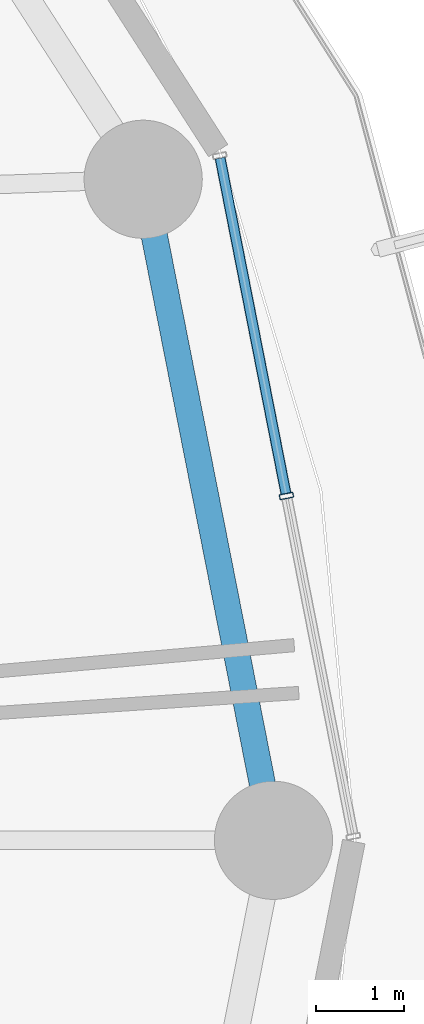
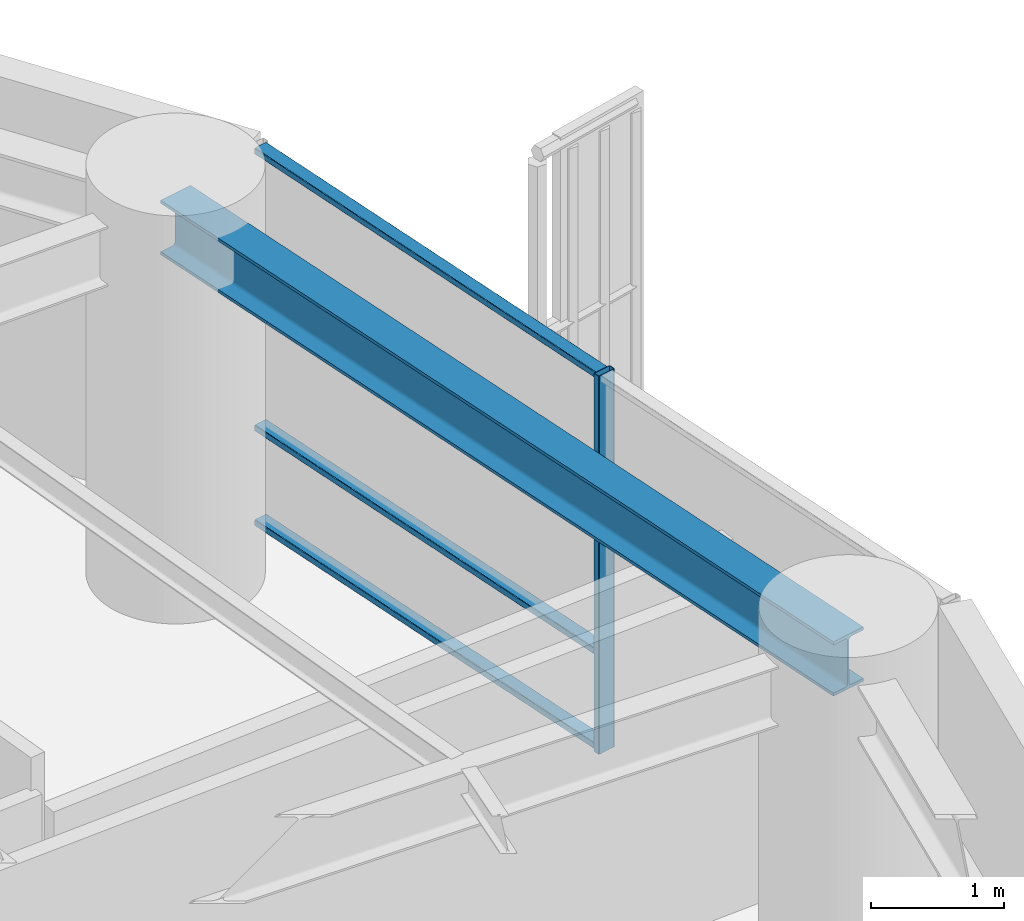
# One storey, part 17 of 38: 4 members, 1 beam, 1 element without a shape of its own.
"""IFC4 building model written with IfcOpenShell, lengths in metres."""

from ifc_helpers import new_model, si_unit, direction, frame, origin, origin_2d, place, context, subcontext, project, spatial, hollow_rectangle, i_section, extrude, material, layer, layer_set, material_profile, profile_set, type_object, element, aggregate, save


model = new_model("IFC4")

# Units and contexts
model_context = context("Model", 3, precision=1e-05, world=origin(), true_north=direction((0.0, 1.0)))
body_context = subcontext(model_context, "Body", "Model", "MODEL_VIEW")
ifc_project = project(units=[si_unit("LENGTHUNIT", "METRE"), si_unit("AREAUNIT", "SQUARE_METRE"), si_unit("VOLUMEUNIT", "CUBIC_METRE"), si_unit("PLANEANGLEUNIT", "RADIAN"), si_unit("MASSUNIT", "GRAM", prefix="KILO")], contexts=[model_context])

# Site, building, storey
site_placement = place(None, origin())
site = spatial("IfcSite", under=ifc_project, at=site_placement, CompositionType="ELEMENT")
building_placement = place(site_placement, origin())
building = spatial("IfcBuilding", under=site, at=building_placement, Name="Kelanora Arch Commons", CompositionType="ELEMENT")
storey_placement = place(building_placement, frame((0.0, 0.0, 106.35009765625)))
storey = spatial("IfcBuildingStorey", under=building, at=storey_placement, Name="L27", CompositionType="ELEMENT", Elevation=106.35009765625)

# Beam
ifc_material_1 = material(Name="Steel S355", Category="steel")
ifc_material_profile_1 = material_profile(ifc_material_1, i_section(OverallWidth=0.300048828125, OverallDepth=0.5, WebThickness=0.014404296875, FlangeThickness=0.028076171875, FilletRadius=0.027099609375, at=origin_2d()), Name="HEB500")
ifc_profile_set_1 = profile_set([ifc_material_profile_1], Name="Steel S355")
beam_type = type_object("IfcBeamType", Name="BM-SPN-Z2", PredefinedType="SPANDREL", material=ifc_profile_set_1)
beam_placement = place(storey_placement, frame((98.679931640625, 58.0, 3.239990234375), z_axis=(-0.19335825777, 0.981128220037, 0.0), x_axis=(-0.981128220037, -0.19335825777, 0.0)))
element("IfcBeam", 1, at=beam_placement, inside=storey, type_object=beam_type, Name="Perimeter Spandrel Beam BS-00 L27", PredefinedType="SPANDREL", context=body_context, shape_type="SweptSolid", body=[
    extrude(i_section(OverallWidth=0.300048828125, OverallDepth=0.5, WebThickness=0.014404296875, FlangeThickness=0.028076171875, FilletRadius=0.027099609375, at=origin_2d()), origin(), (0.0, 0.0, 1.0), 7.697021484375),
])

# Curtain wall, members
ifc_material_2 = material(Name="Terracotta ceramic-fritted low-E glass and aluminium", Category="masonry")
ifc_layer = layer(ifc_material_2, 0.159912109375)
ifc_layer_set = layer_set([ifc_layer], Name="Terracotta ceramic-fritted low-E glass and aluminium")
curtain_wall_type = type_object("IfcCurtainWallType", Name="CW-SYS-01", PredefinedType="NOTDEFINED", material=ifc_layer_set)
curtain_wall_placement = place(storey_placement, origin())
curtain_wall = element("IfcCurtainWall", 2, at=curtain_wall_placement, inside=storey, type_object=curtain_wall_type, Name="Unitised Curtain Wall L27-B00", PredefinedType="NOTDEFINED")
ifc_material_3 = material(Name="Powder-coated aluminium terracotta", Category="masonry")
ifc_material_profile_2 = material_profile(ifc_material_3, hollow_rectangle(XDim=0.159912109375, YDim=0.06005859375, WallThickness=0.0048828125, InnerFilletRadius=0.0048828125, OuterFilletRadius=0.010009765625, at=origin_2d()), Name="CWM160x60")
ifc_profile_set_2 = profile_set([ifc_material_profile_2], Name="Powder-coated aluminium terracotta")
member_type_1 = type_object("IfcMemberType", Name="CWM-STD", PredefinedType="MULLION", material=ifc_profile_set_2)
member_1_placement = place(storey_placement, frame((98.828125, 61.933349609375, 0.0), z_axis=(0.0, 0.0, 1.0), x_axis=(-0.981280311646, -0.192584916272, 0.0)))
member_1 = element("IfcMember", 3, at=member_1_placement, type_object=member_type_1, Name="CW-01 mullion 2", PredefinedType="MULLION", context=body_context, shape_type="SweptSolid", body=[
    extrude(hollow_rectangle(XDim=0.159912109375, YDim=0.06005859375, WallThickness=0.0048828125, InnerFilletRadius=0.0048828125, OuterFilletRadius=0.010009765625, at=origin_2d()), origin(), (0.0, 0.0, 1.0), 3.474853515625),
])
ifc_material_profile_3 = material_profile(ifc_material_3, hollow_rectangle(XDim=0.1201171875, YDim=0.06005859375, WallThickness=0.0048828125, InnerFilletRadius=0.0048828125, OuterFilletRadius=0.010009765625, at=origin_2d()), Name="CWT120x60")
ifc_profile_set_3 = profile_set([ifc_material_profile_3], Name="Powder-coated aluminium terracotta")
member_type_2 = type_object("IfcMemberType", Name="CWT-STD", PredefinedType="USERDEFINED", material=ifc_profile_set_3)
member_2_placement = place(storey_placement, frame((98.822265625, 61.962646484375, 0.02978515625), z_axis=(-0.192578614785, 0.981281548348, 0.0), x_axis=(-0.981281548348, -0.192578614785, 0.0)))
member_2 = element("IfcMember", 4, at=member_2_placement, type_object=member_type_2, Name="CW-01 transom 2.1", ObjectType="TRANSOM", PredefinedType="USERDEFINED", context=body_context, shape_type="SweptSolid", body=[
    extrude(hollow_rectangle(XDim=0.1201171875, YDim=0.06005859375, WallThickness=0.0048828125, InnerFilletRadius=0.0048828125, OuterFilletRadius=0.010009765625, at=origin_2d()), origin(), (0.0, 0.0, 1.0), 3.9033203125),
])
member_3_placement = place(storey_placement, frame((98.822265625, 61.962646484375, 0.89990234375), z_axis=(-0.192578614785, 0.981281548348, 0.0), x_axis=(-0.981281548348, -0.192578614785, 0.0)))
member_3 = element("IfcMember", 5, at=member_3_placement, type_object=member_type_2, Name="CW-01 transom 2.2", ObjectType="TRANSOM", PredefinedType="USERDEFINED", context=body_context, shape_type="SweptSolid", body=[
    extrude(hollow_rectangle(XDim=0.1201171875, YDim=0.06005859375, WallThickness=0.0048828125, InnerFilletRadius=0.0048828125, OuterFilletRadius=0.010009765625, at=origin_2d()), origin(), (0.0, 0.0, 1.0), 3.9033203125),
])
member_4_placement = place(storey_placement, frame((98.822265625, 61.962646484375, 3.44482421875), z_axis=(-0.192578614785, 0.981281548348, 0.0), x_axis=(-0.981281548348, -0.192578614785, 0.0)))
member_4 = element("IfcMember", 6, at=member_4_placement, type_object=member_type_2, Name="CW-01 transom 2.3", ObjectType="TRANSOM", PredefinedType="USERDEFINED", context=body_context, shape_type="SweptSolid", body=[
    extrude(hollow_rectangle(XDim=0.1201171875, YDim=0.06005859375, WallThickness=0.0048828125, InnerFilletRadius=0.0048828125, OuterFilletRadius=0.010009765625, at=origin_2d()), origin(), (0.0, 0.0, 1.0), 3.9033203125),
])
aggregate(curtain_wall, [member_1, member_2, member_3, member_4])

save(model, "model.ifc")
